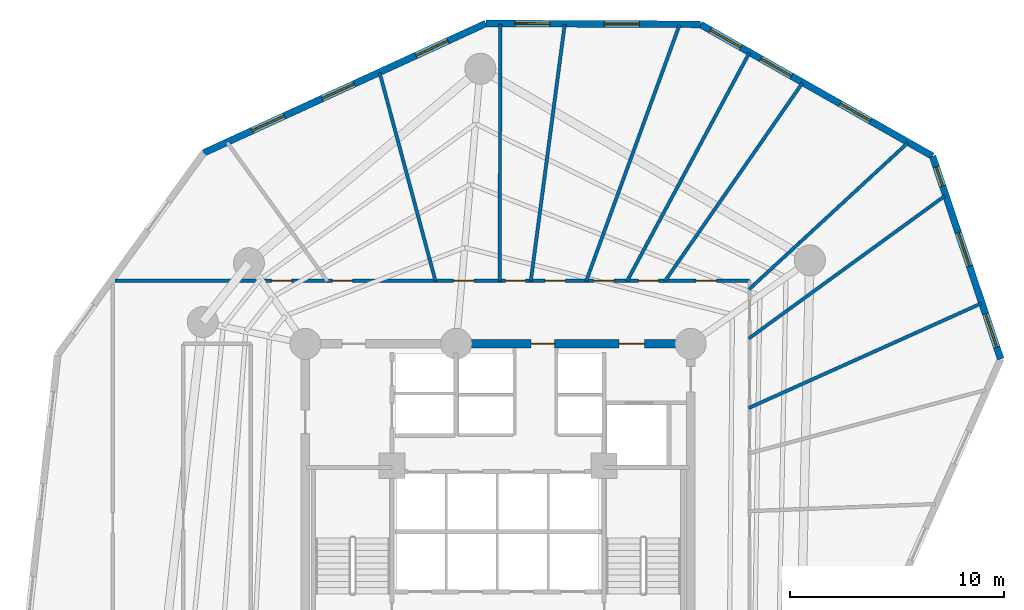
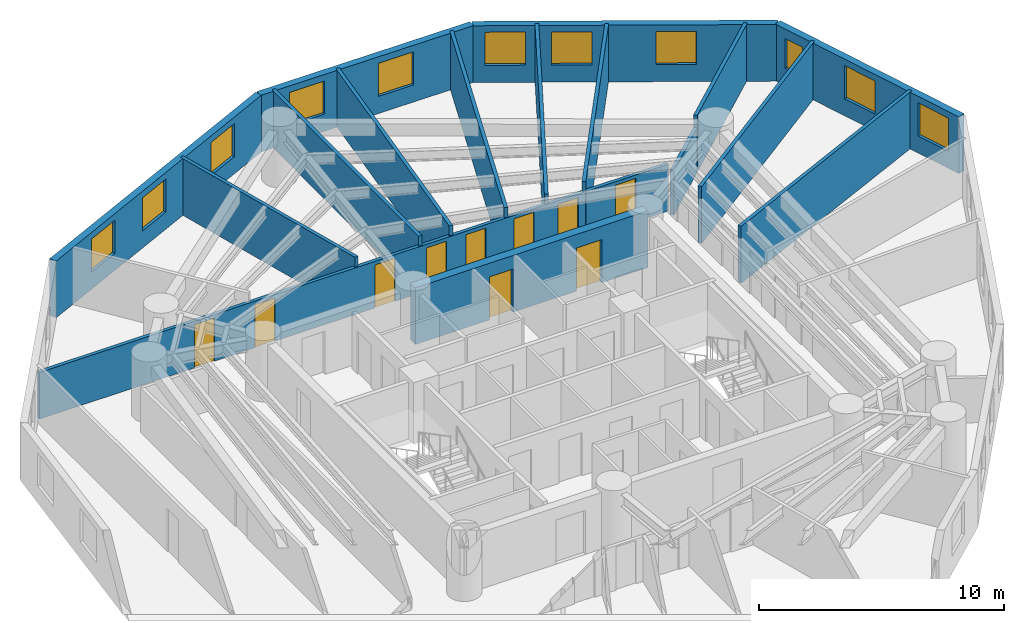
# One storey, part 6 of 8: 16 walls, 11 windows, 10 doors, 21 openings.
"""IFC4 building model written with IfcOpenShell, lengths in metres."""

import ifcopenshell
import ifcopenshell.guid

model = None  # the IFC model being written
_history = None  # IfcOwnerHistory: only IFC2X3 demands one
_inside = {}  # id of a spatial element -> (the spatial element, [elements in it])
_under = {}  # id of a project, library or spatial element -> (it, [spatial elements below it])
_declared = {}  # id of a project -> (the project, [libraries it declares])
_typed = {}  # id of a type object -> (the type object, [elements of that type])
_made_of = {}  # id of a material, layer set ... -> (it, [elements and type objects made of it])


def new_model(schema):
    """Start an empty IFC model of exactly this schema.

    Asked for "IFC4X3", IfcOpenShell would pick the latest addendum, in which some entities
    have other attributes; the version numbers below select the first issue.
    IFC2X3 requires an IfcOwnerHistory on every rooted entity: one is made here for all.
    """
    global model, _history
    if schema == "IFC4X3":
        model = ifcopenshell.file(schema_version=(4, 3, 0, 0))
    else:
        model = ifcopenshell.file(schema=schema)
    _inside.clear()
    _under.clear()
    _declared.clear()
    _typed.clear()
    _made_of.clear()
    _history = None
    if model.schema == "IFC2X3":
        org = make("IfcOrganization", Name="unknown")
        user = make(
            "IfcPersonAndOrganization",
            ThePerson=make("IfcPerson", FamilyName="unknown"),
            TheOrganization=org,
        )
        app = make(
            "IfcApplication",
            ApplicationDeveloper=org,
            Version="unknown",
            ApplicationFullName="unknown",
            ApplicationIdentifier="unknown",
        )
        _history = make(
            "IfcOwnerHistory",
            OwningUser=user,
            OwningApplication=app,
            ChangeAction="ADDED",
            CreationDate=0,
        )
    return model


def make(cls, **values):
    """One entity of the class cls with the attributes given. An attribute that is None is left unset."""
    return model.create_entity(
        cls, **{name: value for name, value in values.items() if value is not None}
    )


def rooted(cls, **values):
    """An entity with a GlobalId (a new one), such as an element, a storey or a relation."""
    return make(cls, GlobalId=ifcopenshell.guid.new(), OwnerHistory=_history, **values)


def si_unit(unit_type, name, prefix=None):
    """IfcSIUnit, for example si_unit("LENGTHUNIT", "METRE", prefix="MILLI")."""
    return make("IfcSIUnit", UnitType=unit_type, Prefix=prefix, Name=name)


def assignment(units):
    """IfcUnitAssignment: the units of a project."""
    return None if units is None else make("IfcUnitAssignment", Units=units)


def point(xyz):
    """IfcCartesianPoint."""
    return None if xyz is None else make("IfcCartesianPoint", Coordinates=xyz)


def direction(xyz):
    """IfcDirection."""
    return None if xyz is None else make("IfcDirection", DirectionRatios=xyz)


def frame(location, z_axis=None, x_axis=None):
    """IfcAxis2Placement3D, a coordinate frame: its origin and axes. An axis left out is left unset."""
    return make(
        "IfcAxis2Placement3D",
        Location=point(location),
        Axis=direction(z_axis),
        RefDirection=direction(x_axis),
    )


def frame_2d(location, x_axis=None):
    """IfcAxis2Placement2D, a coordinate frame in the plane: its origin and x axis."""
    return make(
        "IfcAxis2Placement2D", Location=point(location), RefDirection=direction(x_axis)
    )


def origin():
    """The frame at (0, 0, 0) with its axes left unset."""
    return frame((0.0, 0.0, 0.0))


def origin_with_axes():
    """The frame at (0, 0, 0) with the z axis (0, 0, 1) and the x axis (1, 0, 0) written out."""
    return frame((0.0, 0.0, 0.0), z_axis=(0.0, 0.0, 1.0), x_axis=(1.0, 0.0, 0.0))


def place(relative_to, where):
    """IfcLocalPlacement: puts the frame where relative to a parent placement (None: the world)."""
    return make(
        "IfcLocalPlacement", PlacementRelTo=relative_to, RelativePlacement=where
    )


def context(
    kind, dimensions, precision=None, world=None, true_north=None, identifier=None
):
    """IfcGeometricRepresentationContext, for example the 3D "Model" context."""
    return make(
        "IfcGeometricRepresentationContext",
        ContextIdentifier=identifier,
        ContextType=kind,
        CoordinateSpaceDimension=dimensions,
        Precision=precision,
        WorldCoordinateSystem=world,
        TrueNorth=true_north,
    )


def subcontext(parent, identifier, kind, view, scale=None):
    """IfcGeometricRepresentationSubContext, for example "Body" below "Model"."""
    return make(
        "IfcGeometricRepresentationSubContext",
        ContextIdentifier=identifier,
        ContextType=kind,
        ParentContext=parent,
        TargetScale=scale,
        TargetView=view,
    )


def project(units=None, contexts=None):
    """IfcProject with its units and contexts."""
    return rooted(
        "IfcProject",
        Name="project",
        RepresentationContexts=contexts,
        UnitsInContext=assignment(units),
    )


def spatial(cls, under=None, at=None, **own):
    """A site, building, storey or space (cls), placed at a placement, below another one or the project."""
    s = rooted(cls, ObjectPlacement=at, **own)
    if under is not None:
        _under.setdefault(under.id(), (under, []))[1].append(s)
    return s


def profile(cls, at=None, kind="AREA", **sizes):
    """A parametric profile (cls). Its sizes go by their IFC names, for example OverallWidth=200.0."""
    return make(cls, ProfileType=kind, Position=at, **sizes)


def rectangle(**sizes):
    """IfcRectangleProfileDef."""
    return profile("IfcRectangleProfileDef", **sizes)


def extrude(swept, where, along, depth):
    """IfcExtrudedAreaSolid: the profile swept, set in the frame where, extruded along a direction by depth."""
    return make(
        "IfcExtrudedAreaSolid",
        SweptArea=swept,
        Position=where,
        ExtrudedDirection=direction(along),
        Depth=depth,
    )


def shape(context_of_items, identifier, shape_type, items):
    """IfcShapeRepresentation: the items that make up one representation, for example the "Body"."""
    return make(
        "IfcShapeRepresentation",
        ContextOfItems=context_of_items,
        RepresentationIdentifier=identifier,
        RepresentationType=shape_type,
        Items=items,
    )


def source(mapping_origin, context_of_items, identifier, shape_type, items):
    """IfcRepresentationMap: a shape defined once, which mapped items show again and again."""
    return make(
        "IfcRepresentationMap",
        MappingOrigin=mapping_origin,
        MappedRepresentation=shape(context_of_items, identifier, shape_type, items),
    )


def transform(
    local_origin,
    x_axis=None,
    y_axis=None,
    z_axis=None,
    scale=None,
    scale2=None,
    scale3=None,
    uniform=True,
):
    """IfcCartesianTransformationOperator3D, or its non-uniform kind. x_axis, y_axis, z_axis: its Axis1, 2, 3."""
    if uniform:
        return make(
            "IfcCartesianTransformationOperator3D",
            Axis1=direction(x_axis),
            Axis2=direction(y_axis),
            LocalOrigin=point(local_origin),
            Scale=scale,
            Axis3=direction(z_axis),
        )
    return make(
        "IfcCartesianTransformationOperator3DnonUniform",
        Axis1=direction(x_axis),
        Axis2=direction(y_axis),
        LocalOrigin=point(local_origin),
        Scale=scale,
        Axis3=direction(z_axis),
        Scale2=scale2,
        Scale3=scale3,
    )


def mapped(mapping_source, mapping_target):
    """IfcMappedItem: shows the shape of a source again, moved by a transform."""
    return make(
        "IfcMappedItem", MappingSource=mapping_source, MappingTarget=mapping_target
    )


def material(Name=None, Category=None):
    """IfcMaterial."""
    return make("IfcMaterial", Name=Name, Category=Category)


def layer(
    of_material, thickness, ventilated=None, Name=None, Category=None, Priority=None
):
    """IfcMaterialLayer: one layer of a wall or slab, of a material (None: an air gap)."""
    return make(
        "IfcMaterialLayer",
        Material=of_material,
        LayerThickness=thickness,
        IsVentilated=ventilated,
        Name=Name,
        Category=Category,
        Priority=Priority,
    )


def layer_set(layers, Name=None):
    """IfcMaterialLayerSet."""
    return make("IfcMaterialLayerSet", MaterialLayers=layers, LayerSetName=Name)


def made_of(thing, what):
    """Note that an element or type object is made of a material, layer set ...; save() writes the relation."""
    if what is not None:
        _made_of.setdefault(what.id(), (what, []))[1].append(thing)
    return thing


def type_object(cls, material=None, **own):
    """A type object (cls), such as IfcWallType, which elements share."""
    return made_of(rooted(cls, **own), material)


def element(
    cls,
    number,
    at=None,
    inside=None,
    cuts=None,
    type_object=None,
    material=None,
    context=None,
    identifier="Body",
    shape_type=None,
    held_by="IfcProductDefinitionShape",
    body=None,
    shapes=None,
    **own,
):
    """One element of the class cls, such as IfcWall. Its Tag is "e" and its number.

    at: its placement. inside: the storey or other place that contains it. cuts: it is an
    opening in that element (IfcRelVoidsElement). A single representation is given by context,
    identifier, shape_type and body (its items); several are given by shapes. held_by: the class
    of the entity that holds the representations. save() writes the other relations.
    """
    e = rooted(cls, Tag="e%d" % number, ObjectPlacement=at, **own)
    if body is not None:
        shapes = [shape(context, identifier, shape_type, body)]
    if shapes is not None:
        e.Representation = make(held_by, Representations=shapes)
    if inside is not None:
        _inside.setdefault(inside.id(), (inside, []))[1].append(e)
    if cuts is not None:
        rooted(
            "IfcRelVoidsElement", RelatingBuildingElement=cuts, RelatedOpeningElement=e
        )
    if type_object is not None:
        _typed.setdefault(type_object.id(), (type_object, []))[1].append(e)
    return made_of(e, material)


def fill(opening, filler):
    """IfcRelFillsElement: the door or window that sits in an opening."""
    return rooted(
        "IfcRelFillsElement",
        RelatingOpeningElement=opening,
        RelatedBuildingElement=filler,
    )


def aggregate(whole, parts):
    """IfcRelAggregates: a whole, such as a stair, and the parts it consists of."""
    return rooted("IfcRelAggregates", RelatingObject=whole, RelatedObjects=parts)


def save(model, path):
    """Write the relations noted so far, then the file.

    IfcRelAggregates (storeys below a building ...), IfcRelContainedInSpatialStructure (elements
    in a storey), IfcRelDefinesByType, IfcRelAssociatesMaterial and IfcRelDeclares: one each for
    every whole, place, type object, material and project.
    """
    for whole, parts in _under.values():
        aggregate(whole, parts)
    for where, things in _inside.values():
        rooted(
            "IfcRelContainedInSpatialStructure",
            RelatedElements=things,
            RelatingStructure=where,
        )
    for kind, things in _typed.values():
        rooted("IfcRelDefinesByType", RelatedObjects=things, RelatingType=kind)
    for what, things in _made_of.values():
        rooted("IfcRelAssociatesMaterial", RelatedObjects=things, RelatingMaterial=what)
    for by, libraries in _declared.values():
        rooted("IfcRelDeclares", RelatingContext=by, RelatedDefinitions=libraries)
    model.write(path)


model = new_model("IFC4")

# Units and contexts
model_context = context("Model", 3, precision=1e-05, world=origin(), true_north=direction((0.0, 1.0)))
body_context = subcontext(model_context, "Body", "Model", "MODEL_VIEW")
ifc_project = project(units=[si_unit("LENGTHUNIT", "METRE"), si_unit("AREAUNIT", "SQUARE_METRE"), si_unit("VOLUMEUNIT", "CUBIC_METRE"), si_unit("PLANEANGLEUNIT", "RADIAN"), si_unit("MASSUNIT", "GRAM", prefix="KILO")], contexts=[model_context])

# Site, building, storey
site_placement = place(None, origin())
site = spatial("IfcSite", under=ifc_project, at=site_placement, CompositionType="ELEMENT")
building_placement = place(site_placement, origin())
building = spatial("IfcBuilding", under=site, at=building_placement, Name="Karkom Vertical University and Central Library", CompositionType="ELEMENT")
storey_placement = place(building_placement, frame((0.0, 0.0, 99.25)))
storey = spatial("IfcBuildingStorey", under=building, at=storey_placement, Name="L26", CompositionType="ELEMENT", Elevation=99.25)

# Wall, openings, windows
ifc_material_1 = material(Name="Brick-faced precast concrete C45/55", Category="masonry")
ifc_layer_1 = layer(ifc_material_1, 0.320068359375)
ifc_layer_set_1 = layer_set([ifc_layer_1], Name="Brick-faced precast concrete C45/55")
wall_type_1 = type_object("IfcWallType", Name="ENV-WL-BRK-320", PredefinedType="SOLIDWALL", material=ifc_layer_set_1)
wall_1_placement = place(storey_placement, frame((51.986328125, 33.9892578125, 0.0), z_axis=(0.0, 0.0, 1.0), x_axis=(-0.318475543546, 0.947931077749, 0.0)))
wall_1 = element("IfcWall", 1, at=wall_1_placement, inside=storey, type_object=wall_type_1, Name="Level 26 Brick-Faced Precast Facade Wall 09", PredefinedType="SOLIDWALL", context=body_context, shape_type="SweptSolid", body=[
    extrude(rectangle(XDim=9.99951171875, YDim=0.320068359375, at=frame_2d((4.999755859375, 0.0))), origin(), (0.0, 0.0, 1.0), 2.824951171875),
])
opening_1_placement = place(wall_1_placement, frame((0.580078125, 0.0, 0.85009765625)))
opening_1 = element("IfcOpeningElement", 2, at=opening_1_placement, cuts=wall_1, Name="Opening WN-06", PredefinedType="OPENING", context=body_context, shape_type="SweptSolid", body=[
    extrude(rectangle(XDim=1.64990234375, YDim=1.64990234375, at=frame_2d((0.824951171875, 0.824951171875))), frame((0.0, 0.169921875, 0.0), z_axis=(0.0, -1.0, 0.0), x_axis=(1.0, 0.0, 0.0)), (0.0, 0.0, 1.0), 0.340087890625),
])
opening_2_placement = place(wall_1_placement, frame((4.576904296875, 0.0, 0.85009765625)))
opening_2 = element("IfcOpeningElement", 3, at=opening_2_placement, cuts=wall_1, Name="Opening WN-06", PredefinedType="OPENING", context=body_context, shape_type="SweptSolid", body=[
    extrude(rectangle(XDim=1.64990234375, YDim=1.64990234375, at=frame_2d((0.824951171875, 0.824951171875))), frame((0.0, 0.169921875, 0.0), z_axis=(0.0, -1.0, 0.0), x_axis=(1.0, 0.0, 0.0)), (0.0, 0.0, 1.0), 0.340087890625),
])
opening_3_placement = place(wall_1_placement, frame((8.521240234375, 0.0, 0.85009765625)))
opening_3 = element("IfcOpeningElement", 4, at=opening_3_placement, cuts=wall_1, Name="Opening WN-12", PredefinedType="OPENING", context=body_context, shape_type="SweptSolid", body=[
    extrude(rectangle(XDim=0.949951171875, YDim=1.5, at=frame_2d((0.47509765625, 0.75))), frame((0.0, 0.169921875, 0.0), z_axis=(0.0, -1.0, 0.0), x_axis=(1.0, 0.0, 0.0)), (0.0, 0.0, 1.0), 0.340087890625),
])
ifc_material_2 = material(Name="Aluminium thermal-break frame with solar-control IGU", Category="aluminium")
window_type_1 = type_object("IfcWindowType", Name="ENV-WIN-WN-06", PartitioningType="SINGLE_PANEL", PredefinedType="WINDOW", material=ifc_material_2)
shared_shape_1 = source(origin_with_axes(), body_context, "Body", "SweptSolid", [
    extrude(rectangle(XDim=1.64990234375, YDim=1.64990234375, at=frame_2d((0.824951171875, 0.824951171875))), frame((0.0, 0.030029296875, 0.0), z_axis=(0.0, -1.0, 0.0), x_axis=(1.0, 0.0, 0.0)), (0.0, 0.0, 1.0), 0.06005859375),
])
window_1_placement = place(opening_1_placement, origin())
window_1 = element("IfcWindow", 5, at=window_1_placement, inside=storey, type_object=window_type_1, Name="Level 26 Punched Window 9.1", OverallHeight=1.64990234375, OverallWidth=1.64990234375, PartitioningType="SINGLE_PANEL", PredefinedType="WINDOW", context=body_context, shape_type="MappedRepresentation", body=[
    mapped(shared_shape_1, transform((0.0, 0.0, 0.0), scale=1.0)),
])
fill(opening_1, window_1)
window_2_placement = place(opening_2_placement, origin())
window_2 = element("IfcWindow", 6, at=window_2_placement, inside=storey, type_object=window_type_1, Name="Level 26 Punched Window 9.2", OverallHeight=1.64990234375, OverallWidth=1.64990234375, PartitioningType="SINGLE_PANEL", PredefinedType="WINDOW", context=body_context, shape_type="MappedRepresentation", body=[
    mapped(shared_shape_1, transform((0.0, 0.0, 0.0), scale=1.0)),
])
fill(opening_2, window_2)
window_type_2 = type_object("IfcWindowType", Name="ENV-WIN-WN-12", PartitioningType="SINGLE_PANEL", PredefinedType="WINDOW", material=ifc_material_2)
shared_shape_2 = source(origin_with_axes(), body_context, "Body", "SweptSolid", [
    extrude(rectangle(XDim=0.949951171875, YDim=1.5, at=frame_2d((0.47509765625, 0.75))), frame((0.0, 0.030029296875, 0.0), z_axis=(0.0, -1.0, 0.0), x_axis=(1.0, 0.0, 0.0)), (0.0, 0.0, 1.0), 0.06005859375),
])
window_3_placement = place(opening_3_placement, origin())
window_3 = element("IfcWindow", 7, at=window_3_placement, inside=storey, type_object=window_type_2, Name="Level 26 Punched Window 9.3", OverallHeight=1.5, OverallWidth=0.949951171875, PartitioningType="SINGLE_PANEL", PredefinedType="WINDOW", context=body_context, shape_type="MappedRepresentation", body=[
    mapped(shared_shape_2, transform((0.0, 0.0, 0.0), scale=1.0)),
])
fill(opening_3, window_3)

wall_2_placement = place(storey_placement, frame((48.8017578125, 43.468017578125, 0.0), z_axis=(0.0, 0.0, 1.0), x_axis=(-0.869711119525, 0.49356110926, 0.0)))
wall_2 = element("IfcWall", 8, at=wall_2_placement, inside=storey, type_object=wall_type_1, Name="Level 26 Brick-Faced Precast Facade Wall 10", PredefinedType="SOLIDWALL", context=body_context, shape_type="SweptSolid", body=[
    extrude(rectangle(XDim=12.47412109375, YDim=0.320068359375, at=frame_2d((6.237060546875, 0.0))), origin(), (0.0, 0.0, 1.0), 2.824951171875),
])
opening_4_placement = place(wall_2_placement, frame((3.326904296875, 0.0, 0.85009765625)))
opening_4 = element("IfcOpeningElement", 9, at=opening_4_placement, cuts=wall_2, Name="Opening WN-06", PredefinedType="OPENING", context=body_context, shape_type="SweptSolid", body=[
    extrude(rectangle(XDim=1.64990234375, YDim=1.64990234375, at=frame_2d((0.824951171875, 0.824951171875))), frame((0.0, 0.169921875, 0.0), z_axis=(0.0, -1.0, 0.0), x_axis=(1.0, 0.0, 0.0)), (0.0, 0.0, 1.0), 0.340087890625),
])
opening_5_placement = place(wall_2_placement, frame((7.578125, 0.0, 0.85009765625)))
opening_5 = element("IfcOpeningElement", 10, at=opening_5_placement, cuts=wall_2, Name="Opening WN-06", PredefinedType="OPENING", context=body_context, shape_type="SweptSolid", body=[
    extrude(rectangle(XDim=1.64990234375, YDim=1.64990234375, at=frame_2d((0.824951171875, 0.824951171875))), frame((0.0, 0.169921875, 0.0), z_axis=(0.0, -1.0, 0.0), x_axis=(1.0, 0.0, 0.0)), (0.0, 0.0, 1.0), 0.340087890625),
])
opening_6_placement = place(wall_2_placement, frame((10.2958984375, 0.0, 0.85009765625)))
opening_6 = element("IfcOpeningElement", 11, at=opening_6_placement, cuts=wall_2, Name="Opening WN-06", PredefinedType="OPENING", context=body_context, shape_type="SweptSolid", body=[
    extrude(rectangle(XDim=1.64990234375, YDim=1.64990234375, at=frame_2d((0.824951171875, 0.824951171875))), frame((0.0, 0.169921875, 0.0), z_axis=(0.0, -1.0, 0.0), x_axis=(1.0, 0.0, 0.0)), (0.0, 0.0, 1.0), 0.340087890625),
])
window_4_placement = place(opening_4_placement, origin())
window_4 = element("IfcWindow", 12, at=window_4_placement, inside=storey, type_object=window_type_1, Name="Level 26 Punched Window 10.1", OverallHeight=1.64990234375, OverallWidth=1.64990234375, PartitioningType="SINGLE_PANEL", PredefinedType="WINDOW", context=body_context, shape_type="MappedRepresentation", body=[
    mapped(shared_shape_1, transform((0.0, 0.0, 0.0), scale=1.0)),
])
fill(opening_4, window_4)
window_5_placement = place(opening_5_placement, origin())
window_5 = element("IfcWindow", 13, at=window_5_placement, inside=storey, type_object=window_type_1, Name="Level 26 Punched Window 10.2", OverallHeight=1.64990234375, OverallWidth=1.64990234375, PartitioningType="SINGLE_PANEL", PredefinedType="WINDOW", context=body_context, shape_type="MappedRepresentation", body=[
    mapped(shared_shape_1, transform((0.0, 0.0, 0.0), scale=1.0)),
])
fill(opening_5, window_5)
window_6_placement = place(opening_6_placement, origin())
window_6 = element("IfcWindow", 14, at=window_6_placement, inside=storey, type_object=window_type_1, Name="Level 26 Punched Window 10.3", OverallHeight=1.64990234375, OverallWidth=1.64990234375, PartitioningType="SINGLE_PANEL", PredefinedType="WINDOW", context=body_context, shape_type="MappedRepresentation", body=[
    mapped(shared_shape_1, transform((0.0, 0.0, 0.0), scale=1.0)),
])
fill(opening_6, window_6)

wall_3_placement = place(storey_placement, frame((37.952880859375, 49.624755859375, 0.0), z_axis=(0.0, 0.0, 1.0), x_axis=(-0.999990384138, 0.004385388455, 0.0)))
wall_3 = element("IfcWall", 15, at=wall_3_placement, inside=storey, type_object=wall_type_1, Name="Level 26 Brick-Faced Precast Facade Wall 11", PredefinedType="SOLIDWALL", context=body_context, shape_type="SweptSolid", body=[
    extrude(rectangle(XDim=10.020751953125, YDim=0.320068359375, at=frame_2d((5.01025390625, 0.0))), origin(), (0.0, 0.0, 1.0), 2.824951171875),
])
opening_7_placement = place(wall_3_placement, frame((2.838134765625, 0.0, 0.85009765625)))
opening_7 = element("IfcOpeningElement", 16, at=opening_7_placement, cuts=wall_3, Name="Opening WN-06", PredefinedType="OPENING", context=body_context, shape_type="SweptSolid", body=[
    extrude(rectangle(XDim=1.64990234375, YDim=1.64990234375, at=frame_2d((0.824951171875, 0.824951171875))), frame((0.0, 0.169921875, 0.0), z_axis=(0.0, -1.0, 0.0), x_axis=(1.0, 0.0, 0.0)), (0.0, 0.0, 1.0), 0.340087890625),
])
opening_8_placement = place(wall_3_placement, frame((7.02001953125, 0.0, 0.85009765625)))
opening_8 = element("IfcOpeningElement", 17, at=opening_8_placement, cuts=wall_3, Name="Opening WN-06", PredefinedType="OPENING", context=body_context, shape_type="SweptSolid", body=[
    extrude(rectangle(XDim=1.64990234375, YDim=1.64990234375, at=frame_2d((0.824951171875, 0.824951171875))), frame((0.0, 0.169921875, 0.0), z_axis=(0.0, -1.0, 0.0), x_axis=(1.0, 0.0, 0.0)), (0.0, 0.0, 1.0), 0.340087890625),
])
window_7_placement = place(opening_7_placement, origin())
window_7 = element("IfcWindow", 18, at=window_7_placement, inside=storey, type_object=window_type_1, Name="Level 26 Punched Window 11.1", OverallHeight=1.64990234375, OverallWidth=1.64990234375, PartitioningType="SINGLE_PANEL", PredefinedType="WINDOW", context=body_context, shape_type="MappedRepresentation", body=[
    mapped(shared_shape_1, transform((0.0, 0.0, 0.0), scale=1.0)),
])
fill(opening_7, window_7)
window_8_placement = place(opening_8_placement, origin())
window_8 = element("IfcWindow", 19, at=window_8_placement, inside=storey, type_object=window_type_1, Name="Level 26 Punched Window 11.2", OverallHeight=1.64990234375, OverallWidth=1.64990234375, PartitioningType="SINGLE_PANEL", PredefinedType="WINDOW", context=body_context, shape_type="MappedRepresentation", body=[
    mapped(shared_shape_1, transform((0.0, 0.0, 0.0), scale=1.0)),
])
fill(opening_8, window_8)

wall_4_placement = place(storey_placement, frame((27.93212890625, 49.668701171875, 0.0), z_axis=(0.0, 0.0, 1.0), x_axis=(-0.908921945333, -0.416966302345, 0.0)))
wall_4 = element("IfcWall", 20, at=wall_4_placement, inside=storey, type_object=wall_type_1, Name="Level 26 Brick-Faced Precast Facade Wall 12", PredefinedType="SOLIDWALL", context=body_context, shape_type="SweptSolid", body=[
    extrude(rectangle(XDim=14.513671875, YDim=0.320068359375, at=frame_2d((7.2568359375, 0.0))), origin(), (0.0, 0.0, 1.0), 2.824951171875),
])
opening_9_placement = place(wall_4_placement, frame((1.943359375, 0.0, 0.85009765625)))
opening_9 = element("IfcOpeningElement", 21, at=opening_9_placement, cuts=wall_4, Name="Opening WN-06", PredefinedType="OPENING", context=body_context, shape_type="SweptSolid", body=[
    extrude(rectangle(XDim=1.64990234375, YDim=1.64990234375, at=frame_2d((0.824951171875, 0.824951171875))), frame((0.0, 0.169921875, 0.0), z_axis=(0.0, -1.0, 0.0), x_axis=(1.0, 0.0, 0.0)), (0.0, 0.0, 1.0), 0.340087890625),
])
opening_10_placement = place(wall_4_placement, frame((6.7666015625, 0.0, 0.85009765625)))
opening_10 = element("IfcOpeningElement", 22, at=opening_10_placement, cuts=wall_4, Name="Opening WN-06", PredefinedType="OPENING", context=body_context, shape_type="SweptSolid", body=[
    extrude(rectangle(XDim=1.64990234375, YDim=1.64990234375, at=frame_2d((0.824951171875, 0.824951171875))), frame((0.0, 0.169921875, 0.0), z_axis=(0.0, -1.0, 0.0), x_axis=(1.0, 0.0, 0.0)), (0.0, 0.0, 1.0), 0.340087890625),
])
opening_11_placement = place(wall_4_placement, frame((10.356689453125, 0.0, 0.85009765625)))
opening_11 = element("IfcOpeningElement", 23, at=opening_11_placement, cuts=wall_4, Name="Opening WN-06", PredefinedType="OPENING", context=body_context, shape_type="SweptSolid", body=[
    extrude(rectangle(XDim=1.64990234375, YDim=1.64990234375, at=frame_2d((0.824951171875, 0.824951171875))), frame((0.0, 0.169921875, 0.0), z_axis=(0.0, -1.0, 0.0), x_axis=(1.0, 0.0, 0.0)), (0.0, 0.0, 1.0), 0.340087890625),
])
window_9_placement = place(opening_9_placement, origin())
window_9 = element("IfcWindow", 24, at=window_9_placement, inside=storey, type_object=window_type_1, Name="Level 26 Punched Window 12.1", OverallHeight=1.64990234375, OverallWidth=1.64990234375, PartitioningType="SINGLE_PANEL", PredefinedType="WINDOW", context=body_context, shape_type="MappedRepresentation", body=[
    mapped(shared_shape_1, transform((0.0, 0.0, 0.0), scale=1.0)),
])
fill(opening_9, window_9)
window_10_placement = place(opening_10_placement, origin())
window_10 = element("IfcWindow", 25, at=window_10_placement, inside=storey, type_object=window_type_1, Name="Level 26 Punched Window 12.2", OverallHeight=1.64990234375, OverallWidth=1.64990234375, PartitioningType="SINGLE_PANEL", PredefinedType="WINDOW", context=body_context, shape_type="MappedRepresentation", body=[
    mapped(shared_shape_1, transform((0.0, 0.0, 0.0), scale=1.0)),
])
fill(opening_10, window_10)
window_11_placement = place(opening_11_placement, origin())
window_11 = element("IfcWindow", 26, at=window_11_placement, inside=storey, type_object=window_type_1, Name="Level 26 Punched Window 12.3", OverallHeight=1.64990234375, OverallWidth=1.64990234375, PartitioningType="SINGLE_PANEL", PredefinedType="WINDOW", context=body_context, shape_type="MappedRepresentation", body=[
    mapped(shared_shape_1, transform((0.0, 0.0, 0.0), scale=1.0)),
])
fill(opening_11, window_11)

# Wall, openings, doors
ifc_material_3 = material(Name="Insulated metal-stud drywall 160mm", Category="gypsum")
ifc_layer_2 = layer(ifc_material_3, 0.159912109375)
ifc_layer_set_2 = layer_set([ifc_layer_2], Name="Insulated metal-stud drywall 160mm")
wall_type_2 = type_object("IfcWallType", Name="INT-WL-COR-160", PredefinedType="PARTITIONING", material=ifc_layer_set_2)
wall_5_placement = place(storey_placement, frame((10.61279296875, 37.64990234375, 0.0), z_axis=(0.0, 0.0, 1.0), x_axis=(1.0, 0.0, 0.0)))
wall_5 = element("IfcWall", 27, at=wall_5_placement, inside=storey, type_object=wall_type_2, Name="Level 26 Interior Partition Wall L26-CORW-CW-003", PredefinedType="PARTITIONING", context=body_context, shape_type="SweptSolid", body=[
    extrude(rectangle(XDim=29.63720703125, YDim=0.159912109375, at=frame_2d((14.818603515625, 0.0))), origin(), (0.0, 0.0, 1.0), 2.324951171875),
])
opening_12_placement = place(wall_5_placement, frame((27.14697265625, 0.0, 0.0)))
opening_12 = element("IfcOpeningElement", 28, at=opening_12_placement, cuts=wall_5, Name="Opening D-RM1", PredefinedType="OPENING", context=body_context, shape_type="SweptSolid", body=[
    extrude(rectangle(XDim=0.949951171875, YDim=2.14990234375, at=frame_2d((0.47509765625, 1.074951171875))), frame((0.0, 0.08984375, 0.0), z_axis=(0.0, -1.0, 0.0), x_axis=(1.0, 0.0, 0.0)), (0.0, 0.0, 1.0), 0.179931640625),
])
opening_13_placement = place(wall_5_placement, frame((24.43994140625, 0.0, 0.0)))
opening_13 = element("IfcOpeningElement", 29, at=opening_13_placement, cuts=wall_5, Name="Opening D-RM1", PredefinedType="OPENING", context=body_context, shape_type="SweptSolid", body=[
    extrude(rectangle(XDim=0.949951171875, YDim=2.14990234375, at=frame_2d((0.47509765625, 1.074951171875))), frame((0.0, 0.08984375, 0.0), z_axis=(0.0, -1.0, 0.0), x_axis=(1.0, 0.0, 0.0)), (0.0, 0.0, 1.0), 0.179931640625),
])
opening_14_placement = place(wall_5_placement, frame((22.357666015625, 0.0, 0.0)))
opening_14 = element("IfcOpeningElement", 30, at=opening_14_placement, cuts=wall_5, Name="Opening D-RM1", PredefinedType="OPENING", context=body_context, shape_type="SweptSolid", body=[
    extrude(rectangle(XDim=0.949951171875, YDim=2.14990234375, at=frame_2d((0.47509765625, 1.074951171875))), frame((0.0, 0.08984375, 0.0), z_axis=(0.0, -1.0, 0.0), x_axis=(1.0, 0.0, 0.0)), (0.0, 0.0, 1.0), 0.179931640625),
])
opening_15_placement = place(wall_5_placement, frame((20.08447265625, 0.0, 0.0)))
opening_15 = element("IfcOpeningElement", 31, at=opening_15_placement, cuts=wall_5, Name="Opening D-RM1", PredefinedType="OPENING", context=body_context, shape_type="SweptSolid", body=[
    extrude(rectangle(XDim=0.949951171875, YDim=2.14990234375, at=frame_2d((0.47509765625, 1.074951171875))), frame((0.0, 0.08984375, 0.0), z_axis=(0.0, -1.0, 0.0), x_axis=(1.0, 0.0, 0.0)), (0.0, 0.0, 1.0), 0.179931640625),
])
opening_16_placement = place(wall_5_placement, frame((18.225341796875, 0.0, 0.0)))
opening_16 = element("IfcOpeningElement", 32, at=opening_16_placement, cuts=wall_5, Name="Opening D-RM1", PredefinedType="OPENING", context=body_context, shape_type="SweptSolid", body=[
    extrude(rectangle(XDim=0.949951171875, YDim=2.14990234375, at=frame_2d((0.47509765625, 1.074951171875))), frame((0.0, 0.08984375, 0.0), z_axis=(0.0, -1.0, 0.0), x_axis=(1.0, 0.0, 0.0)), (0.0, 0.0, 1.0), 0.179931640625),
])
opening_17_placement = place(wall_5_placement, frame((15.805419921875, 0.0, 0.0)))
opening_17 = element("IfcOpeningElement", 33, at=opening_17_placement, cuts=wall_5, Name="Opening D-RM1", PredefinedType="OPENING", context=body_context, shape_type="SweptSolid", body=[
    extrude(rectangle(XDim=0.949951171875, YDim=2.14990234375, at=frame_2d((0.47509765625, 1.074951171875))), frame((0.0, 0.08984375, 0.0), z_axis=(0.0, -1.0, 0.0), x_axis=(1.0, 0.0, 0.0)), (0.0, 0.0, 1.0), 0.179931640625),
])
opening_18_placement = place(wall_5_placement, frame((10.148193359375, 0.0, 0.0)))
opening_18 = element("IfcOpeningElement", 34, at=opening_18_placement, cuts=wall_5, Name="Opening D-RM1", PredefinedType="OPENING", context=body_context, shape_type="SweptSolid", body=[
    extrude(rectangle(XDim=0.949951171875, YDim=2.14990234375, at=frame_2d((0.47509765625, 1.074951171875))), frame((0.0, 0.08984375, 0.0), z_axis=(0.0, -1.0, 0.0), x_axis=(1.0, 0.0, 0.0)), (0.0, 0.0, 1.0), 0.179931640625),
])
opening_19_placement = place(wall_5_placement, frame((7.2958984375, 0.0, 0.0)))
opening_19 = element("IfcOpeningElement", 35, at=opening_19_placement, cuts=wall_5, Name="Opening D-RM1", PredefinedType="OPENING", context=body_context, shape_type="SweptSolid", body=[
    extrude(rectangle(XDim=0.949951171875, YDim=2.14990234375, at=frame_2d((0.47509765625, 1.074951171875))), frame((0.0, 0.08984375, 0.0), z_axis=(0.0, -1.0, 0.0), x_axis=(1.0, 0.0, 0.0)), (0.0, 0.0, 1.0), 0.179931640625),
])
ifc_material_4 = material(Name="Solid-core oak veneer door", Category="wood")
door_type_1 = type_object("IfcDoorType", Name="INT-DR-RM1", OperationType="NOTDEFINED", PredefinedType="DOOR", material=ifc_material_4)
shared_shape_3 = source(origin_with_axes(), body_context, "Body", "SweptSolid", [
    extrude(rectangle(XDim=0.949951171875, YDim=2.14990234375, at=frame_2d((0.47509765625, 1.074951171875))), frame((0.0, 0.02490234375, 0.0), z_axis=(0.0, -1.0, 0.0), x_axis=(1.0, 0.0, 0.0)), (0.0, 0.0, 1.0), 0.050048828125),
])
door_1_placement = place(opening_12_placement, origin())
door_1 = element("IfcDoor", 36, at=door_1_placement, inside=storey, type_object=door_type_1, Name="Level 26 Room Entry Door 160", OperationType="SINGLE_SWING_LEFT", OverallHeight=2.14990234375, OverallWidth=0.949951171875, PredefinedType="DOOR", context=body_context, shape_type="MappedRepresentation", body=[
    mapped(shared_shape_3, transform((0.0, 0.0, 0.0), scale=1.0)),
])
fill(opening_12, door_1)
door_2_placement = place(opening_13_placement, origin())
door_2 = element("IfcDoor", 37, at=door_2_placement, inside=storey, type_object=door_type_1, Name="Level 26 Room Entry Door 170", OperationType="SINGLE_SWING_RIGHT", OverallHeight=2.14990234375, OverallWidth=0.949951171875, PredefinedType="DOOR", context=body_context, shape_type="MappedRepresentation", body=[
    mapped(shared_shape_3, transform((0.0, 0.0, 0.0), scale=1.0)),
])
fill(opening_13, door_2)
door_3_placement = place(opening_14_placement, origin())
door_3 = element("IfcDoor", 38, at=door_3_placement, inside=storey, type_object=door_type_1, Name="Level 26 Room Entry Door 180", OperationType="SINGLE_SWING_LEFT", OverallHeight=2.14990234375, OverallWidth=0.949951171875, PredefinedType="DOOR", context=body_context, shape_type="MappedRepresentation", body=[
    mapped(shared_shape_3, transform((0.0, 0.0, 0.0), scale=1.0)),
])
fill(opening_14, door_3)
door_4_placement = place(opening_15_placement, origin())
door_4 = element("IfcDoor", 39, at=door_4_placement, inside=storey, type_object=door_type_1, Name="Level 26 Room Entry Door 190", OperationType="SINGLE_SWING_RIGHT", OverallHeight=2.14990234375, OverallWidth=0.949951171875, PredefinedType="DOOR", context=body_context, shape_type="MappedRepresentation", body=[
    mapped(shared_shape_3, transform((0.0, 0.0, 0.0), scale=1.0)),
])
fill(opening_15, door_4)
door_5_placement = place(opening_16_placement, origin())
door_5 = element("IfcDoor", 40, at=door_5_placement, inside=storey, type_object=door_type_1, Name="Level 26 Room Entry Door 200", OperationType="SINGLE_SWING_LEFT", OverallHeight=2.14990234375, OverallWidth=0.949951171875, PredefinedType="DOOR", context=body_context, shape_type="MappedRepresentation", body=[
    mapped(shared_shape_3, transform((0.0, 0.0, 0.0), scale=1.0)),
])
fill(opening_16, door_5)
door_6_placement = place(opening_17_placement, origin())
door_6 = element("IfcDoor", 41, at=door_6_placement, inside=storey, type_object=door_type_1, Name="Level 26 Room Entry Door 210", OperationType="SINGLE_SWING_RIGHT", OverallHeight=2.14990234375, OverallWidth=0.949951171875, PredefinedType="DOOR", context=body_context, shape_type="MappedRepresentation", body=[
    mapped(shared_shape_3, transform((0.0, 0.0, 0.0), scale=1.0)),
])
fill(opening_17, door_6)
door_7_placement = place(opening_18_placement, origin())
door_7 = element("IfcDoor", 42, at=door_7_placement, inside=storey, type_object=door_type_1, Name="Level 26 Room Entry Door 220", OperationType="SINGLE_SWING_LEFT", OverallHeight=2.14990234375, OverallWidth=0.949951171875, PredefinedType="DOOR", context=body_context, shape_type="MappedRepresentation", body=[
    mapped(shared_shape_3, transform((0.0, 0.0, 0.0), scale=1.0)),
])
fill(opening_18, door_7)
door_8_placement = place(opening_19_placement, origin())
door_8 = element("IfcDoor", 43, at=door_8_placement, inside=storey, type_object=door_type_1, Name="Level 26 Room Entry Door 230", OperationType="SINGLE_SWING_RIGHT", OverallHeight=2.14990234375, OverallWidth=0.949951171875, PredefinedType="DOOR", context=body_context, shape_type="MappedRepresentation", body=[
    mapped(shared_shape_3, transform((0.0, 0.0, 0.0), scale=1.0)),
])
fill(opening_19, door_8)

# Walls
wall_6_placement = place(storey_placement, frame((32.6103515625, 37.607666015625, 0.0), z_axis=(0.0, 0.0, 1.0), x_axis=(0.342280552341, 0.939597798789, 0.0)))
element("IfcWall", 44, at=wall_6_placement, inside=storey, type_object=wall_type_2, Name="Level 26 Interior Partition Wall L26-PW-023", PredefinedType="PARTITIONING", context=body_context, shape_type="SweptSolid", body=[
    extrude(rectangle(XDim=12.763427734375, YDim=0.159912109375, at=frame_2d((6.3818359375, 0.0))), origin(), (0.0, 0.0, 1.0), 2.824951171875),
])
wall_7_placement = place(storey_placement, frame((30.030029296875, 37.620361328125, 0.0), z_axis=(0.0, 0.0, 1.0), x_axis=(0.131010891984, 0.991380928897, 0.0)))
element("IfcWall", 45, at=wall_7_placement, inside=storey, type_object=wall_type_2, Name="Level 26 Interior Partition Wall L26-PW-024", PredefinedType="PARTITIONING", context=body_context, shape_type="SweptSolid", body=[
    extrude(rectangle(XDim=12.111083984375, YDim=0.159912109375, at=frame_2d((6.0556640625, 0.0))), origin(), (0.0, 0.0, 1.0), 2.824951171875),
])
wall_8_placement = place(storey_placement, frame((34.51806640625, 37.6103515625, 0.0), z_axis=(0.0, 0.0, 1.0), x_axis=(0.472106285864, 0.881541635346, 0.0)))
element("IfcWall", 46, at=wall_8_placement, inside=storey, type_object=wall_type_2, Name="Level 26 Interior Partition Wall L26-PW-022", PredefinedType="PARTITIONING", context=body_context, shape_type="SweptSolid", body=[
    extrude(rectangle(XDim=12.123046875, YDim=0.159912109375, at=frame_2d((6.0615234375, 0.0))), origin(), (0.0, 0.0, 1.0), 2.824951171875),
])
wall_9_placement = place(storey_placement, frame((28.5810546875, 37.60498046875, 0.0), z_axis=(0.0, 0.0, 1.0), x_axis=(0.001886444644, 0.999998220662, 0.0)))
element("IfcWall", 47, at=wall_9_placement, inside=storey, type_object=wall_type_2, Name="Level 26 Interior Partition Wall L26-PW-025", PredefinedType="PARTITIONING", context=body_context, shape_type="SweptSolid", body=[
    extrude(rectangle(XDim=12.035888671875, YDim=0.159912109375, at=frame_2d((6.01806640625, 0.0))), origin(), (0.0, 0.0, 1.0), 2.824951171875),
])
wall_10_placement = place(storey_placement, frame((40.208984375, 31.7001953125, 0.0), z_axis=(0.0, 0.0, 1.0), x_axis=(0.912009584373, 0.410168889619, 0.0)))
element("IfcWall", 48, at=wall_10_placement, inside=storey, type_object=wall_type_2, Name="Level 26 Interior Partition Wall L26-PW-017", PredefinedType="PARTITIONING", context=body_context, shape_type="SweptSolid", body=[
    extrude(rectangle(XDim=11.92578125, YDim=0.159912109375, at=frame_2d((5.962890625, 0.0))), origin(), (0.0, 0.0, 1.0), 2.824951171875),
])
wall_11_placement = place(storey_placement, frame((40.213623046875, 34.947265625, 0.0), z_axis=(0.0, 0.0, 1.0), x_axis=(0.808655151719, 0.588282963887, 0.0)))
element("IfcWall", 49, at=wall_11_placement, inside=storey, type_object=wall_type_2, Name="Level 26 Interior Partition Wall L26-PW-018", PredefinedType="PARTITIONING", context=body_context, shape_type="SweptSolid", body=[
    extrude(rectangle(XDim=11.35009765625, YDim=0.159912109375, at=frame_2d((5.675048828125, 0.0))), origin(), (0.0, 0.0, 1.0), 2.824951171875),
])
wall_12_placement = place(storey_placement, frame((36.285400390625, 37.613037109375, 0.0), z_axis=(0.0, 0.0, 1.0), x_axis=(0.570151843244, 0.821539332987, 0.0)))
element("IfcWall", 50, at=wall_12_placement, inside=storey, type_object=wall_type_2, Name="Level 26 Interior Partition Wall L26-PW-021", PredefinedType="PARTITIONING", context=body_context, shape_type="SweptSolid", body=[
    extrude(rectangle(XDim=11.290771484375, YDim=0.159912109375, at=frame_2d((5.6455078125, 0.0))), origin(), (0.0, 0.0, 1.0), 2.824951171875),
])
wall_13_placement = place(storey_placement, frame((25.58154296875, 37.62109375, 0.0), z_axis=(0.0, 0.0, 1.0), x_axis=(-0.258863116835, 0.965914016226, 0.0)))
element("IfcWall", 51, at=wall_13_placement, inside=storey, type_object=wall_type_2, Name="Level 26 Interior Partition Wall L26-PW-026", PredefinedType="PARTITIONING", context=body_context, shape_type="SweptSolid", body=[
    extrude(rectangle(XDim=10.086669921875, YDim=0.159912109375, at=frame_2d((5.04345703125, 0.0))), origin(), (0.0, 0.0, 1.0), 2.824951171875),
])
wall_14_placement = place(storey_placement, frame((42.583740234375, 39.419921875, 0.0), z_axis=(0.0, 0.0, 1.0), x_axis=(0.734757240963, 0.678330153283, 0.0)))
element("IfcWall", 52, at=wall_14_placement, inside=storey, type_object=wall_type_2, Name="Level 26 Interior Partition Wall L26-PW-020", PredefinedType="PARTITIONING", context=body_context, shape_type="SweptSolid", body=[
    extrude(rectangle(XDim=6.887939453125, YDim=0.159912109375, at=frame_2d((3.44384765625, 0.0))), origin(), (0.0, 0.0, 1.0), 2.824951171875),
])
wall_15_placement = place(storey_placement, frame((40.22802734375, 37.245361328125, 0.0), z_axis=(0.0, 0.0, 1.0), x_axis=(0.734765427386, 0.678321285762, 0.0)))
element("IfcWall", 53, at=wall_15_placement, inside=storey, type_object=wall_type_2, Name="Level 26 Interior Partition Wall L26-PW-019", PredefinedType="PARTITIONING", context=body_context, shape_type="SweptSolid", body=[
    extrude(rectangle(XDim=3.20068359375, YDim=0.159912109375, at=frame_2d((1.600341796875, 0.0))), origin(), (0.0, 0.0, 1.0), 2.22509765625),
])

# Wall, openings, doors
ifc_material_5 = material(Name="Concrete C50/60", Category="concrete")
ifc_layer_3 = layer(ifc_material_5, 0.39990234375)
ifc_layer_set_3 = layer_set([ifc_layer_3], Name="Concrete C50/60")
wall_type_3 = type_object("IfcWallType", Name="STR-WL-CW-400", PredefinedType="SHEAR", material=ifc_layer_set_3)
wall_16_placement = place(storey_placement, frame((37.5, 34.699951171875, 0.0), z_axis=(0.0, 0.0, 1.0), x_axis=(-1.0, 0.0, 0.0)))
wall_16 = element("IfcWall", 54, at=wall_16_placement, inside=storey, type_object=wall_type_3, Name="Level 26 Central Core Shear Wall NW1", PredefinedType="SHEAR", context=body_context, shape_type="SweptSolid", body=[
    extrude(rectangle(XDim=10.949951171875, YDim=0.39990234375, at=frame_2d((5.47509765625, 0.0))), origin(), (0.0, 0.0, 1.0), 2.824951171875),
])
opening_20_placement = place(wall_16_placement, frame((2.14990234375, 0.0, 0.0)))
opening_20 = element("IfcOpeningElement", 55, at=opening_20_placement, cuts=wall_16, Name="Opening FD-SUB1", PredefinedType="OPENING", context=body_context, shape_type="SweptSolid", body=[
    extrude(rectangle(XDim=1.199951171875, YDim=2.14990234375, at=frame_2d((0.60009765625, 1.074951171875))), frame((0.0, 0.2099609375, 0.0), z_axis=(0.0, -1.0, 0.0), x_axis=(1.0, 0.0, 0.0)), (0.0, 0.0, 1.0), 0.419921875),
])
opening_21_placement = place(wall_16_placement, frame((6.35009765625, 0.0, 0.0)))
opening_21 = element("IfcOpeningElement", 56, at=opening_21_placement, cuts=wall_16, Name="Opening FD-FFL", PredefinedType="OPENING", context=body_context, shape_type="SweptSolid", body=[
    extrude(rectangle(XDim=1.10009765625, YDim=2.14990234375, at=frame_2d((0.550048828125, 1.074951171875))), frame((0.0, 0.2099609375, 0.0), z_axis=(0.0, -1.0, 0.0), x_axis=(1.0, 0.0, 0.0)), (0.0, 0.0, 1.0), 0.419921875),
])
ifc_material_6 = material(Name="Painted steel smoke-seal fire door", Category="steel")
door_type_2 = type_object("IfcDoorType", Name="INT-DR-FFL", OperationType="NOTDEFINED", PredefinedType="DOOR", material=ifc_material_6)
shared_shape_4 = source(origin_with_axes(), body_context, "Body", "SweptSolid", [
    extrude(rectangle(XDim=1.10009765625, YDim=2.14990234375, at=frame_2d((0.550048828125, 1.074951171875))), frame((0.0, 0.02490234375, 0.0), z_axis=(0.0, -1.0, 0.0), x_axis=(1.0, 0.0, 0.0)), (0.0, 0.0, 1.0), 0.050048828125),
])
door_9_placement = place(opening_21_placement, origin())
door_9 = element("IfcDoor", 57, at=door_9_placement, inside=storey, type_object=door_type_2, Name="Level 26 North Core Lobby Exit Door", OperationType="SINGLE_SWING_RIGHT", OverallHeight=2.14990234375, OverallWidth=1.10009765625, PredefinedType="DOOR", context=body_context, shape_type="MappedRepresentation", body=[
    mapped(shared_shape_4, transform((0.0, 0.0, 0.0), scale=1.0)),
])
fill(opening_21, door_9)
ifc_material_7 = material(Name="Painted steel fire door", Category="steel")
door_type_3 = type_object("IfcDoorType", Name="INT-DR-SUB1", OperationType="NOTDEFINED", PredefinedType="DOOR", material=ifc_material_7)
shared_shape_5 = source(origin_with_axes(), body_context, "Body", "SweptSolid", [
    extrude(rectangle(XDim=1.199951171875, YDim=2.14990234375, at=frame_2d((0.60009765625, 1.074951171875))), frame((0.0, 0.02490234375, 0.0), z_axis=(0.0, -1.0, 0.0), x_axis=(1.0, 0.0, 0.0)), (0.0, 0.0, 1.0), 0.050048828125),
])
door_10_placement = place(opening_20_placement, origin())
door_10 = element("IfcDoor", 58, at=door_10_placement, inside=storey, type_object=door_type_3, Name="Level 26 Service Lobby Fire Door", OperationType="SINGLE_SWING_RIGHT", OverallHeight=2.14990234375, OverallWidth=1.199951171875, PredefinedType="DOOR", context=body_context, shape_type="MappedRepresentation", body=[
    mapped(shared_shape_5, transform((0.0, 0.0, 0.0), scale=1.0)),
])
fill(opening_20, door_10)

save(model, "model.ifc")
